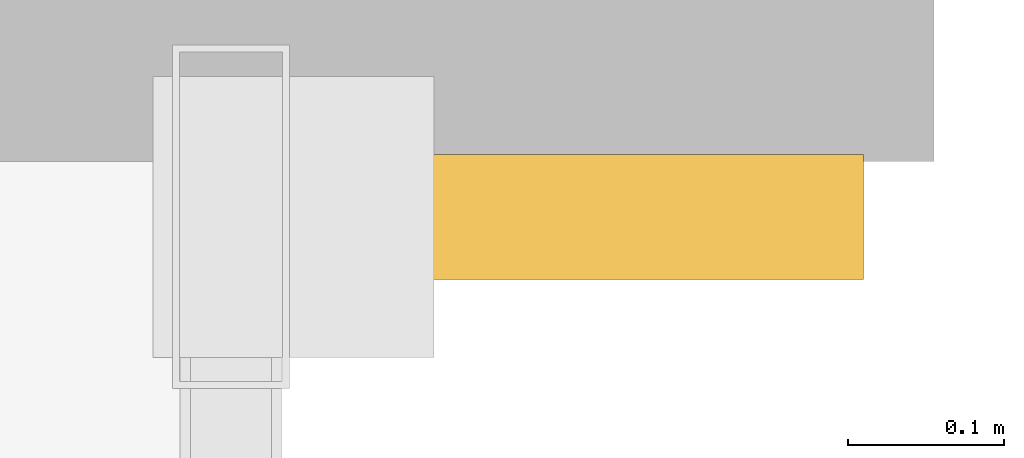
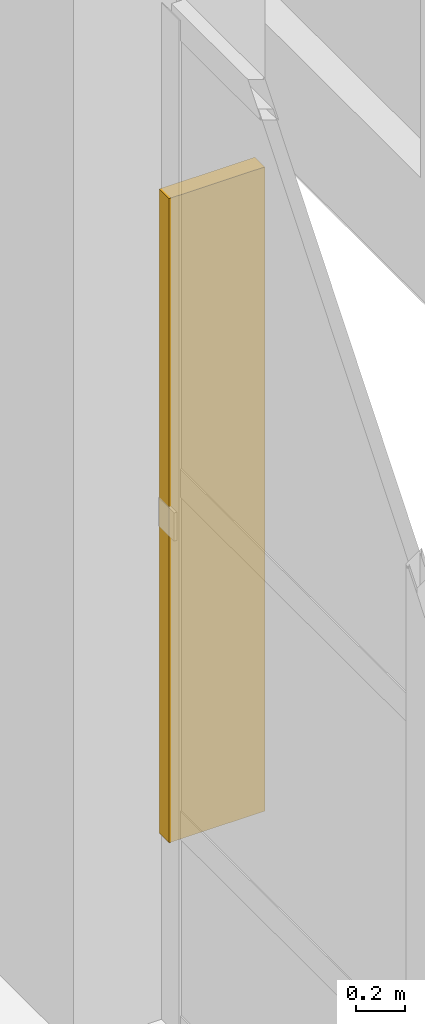
# One storey, part 38 of 41: 1 shading device.
"""IFC4 building model written with IfcOpenShell, lengths in metres."""

from ifc_helpers import new_model, si_unit, direction, frame, origin, origin_2d, place, context, subcontext, project, spatial, rectangle, extrude, material, type_object, element, save


model = new_model("IFC4")

# Units and contexts
model_context = context("Model", 3, precision=1e-05, world=origin(), true_north=direction((0.0, 1.0)))
body_context = subcontext(model_context, "Body", "Model", "MODEL_VIEW")
ifc_project = project(units=[si_unit("LENGTHUNIT", "METRE"), si_unit("AREAUNIT", "SQUARE_METRE"), si_unit("VOLUMEUNIT", "CUBIC_METRE"), si_unit("PLANEANGLEUNIT", "RADIAN"), si_unit("MASSUNIT", "GRAM", prefix="KILO")], contexts=[model_context])

# Site, building, storey
site_placement = place(None, origin())
site = spatial("IfcSite", under=ifc_project, at=site_placement, CompositionType="ELEMENT")
building_placement = place(site_placement, origin())
building = spatial("IfcBuilding", under=site, at=building_placement, Name="Vaelkrest Opera House", CompositionType="ELEMENT")
storey_placement = place(building_placement, frame((0.0, 0.0, 24.60009765625)))
storey = spatial("IfcBuildingStorey", under=building, at=storey_placement, Name="L05", CompositionType="ELEMENT", Elevation=24.60009765625)

# Shading device
ifc_material = material(Name="Dark bronze anodized aluminium", Category="aluminium")
shading_device_type = type_object("IfcShadingDeviceType", Name="FIN01", PredefinedType="USERDEFINED", material=ifc_material)
shading_device_placement = place(storey_placement, frame((30.179931640625, 0.864501953125, 0.9248046875), z_axis=(0.0, 0.0, 1.0), x_axis=(1.0, 0.0, 0.0)))
element("IfcShadingDevice", 1, at=shading_device_placement, inside=storey, type_object=shading_device_type, Name="Bronze vertical facade fin 10", ObjectType="FIN", PredefinedType="USERDEFINED", context=body_context, shape_type="SweptSolid", body=[
    extrude(rectangle(XDim=0.449951171875, YDim=0.080078125, at=origin_2d()), origin(), (0.0, 0.0, 1.0), 3.199951171875),
])

save(model, "model.ifc")
